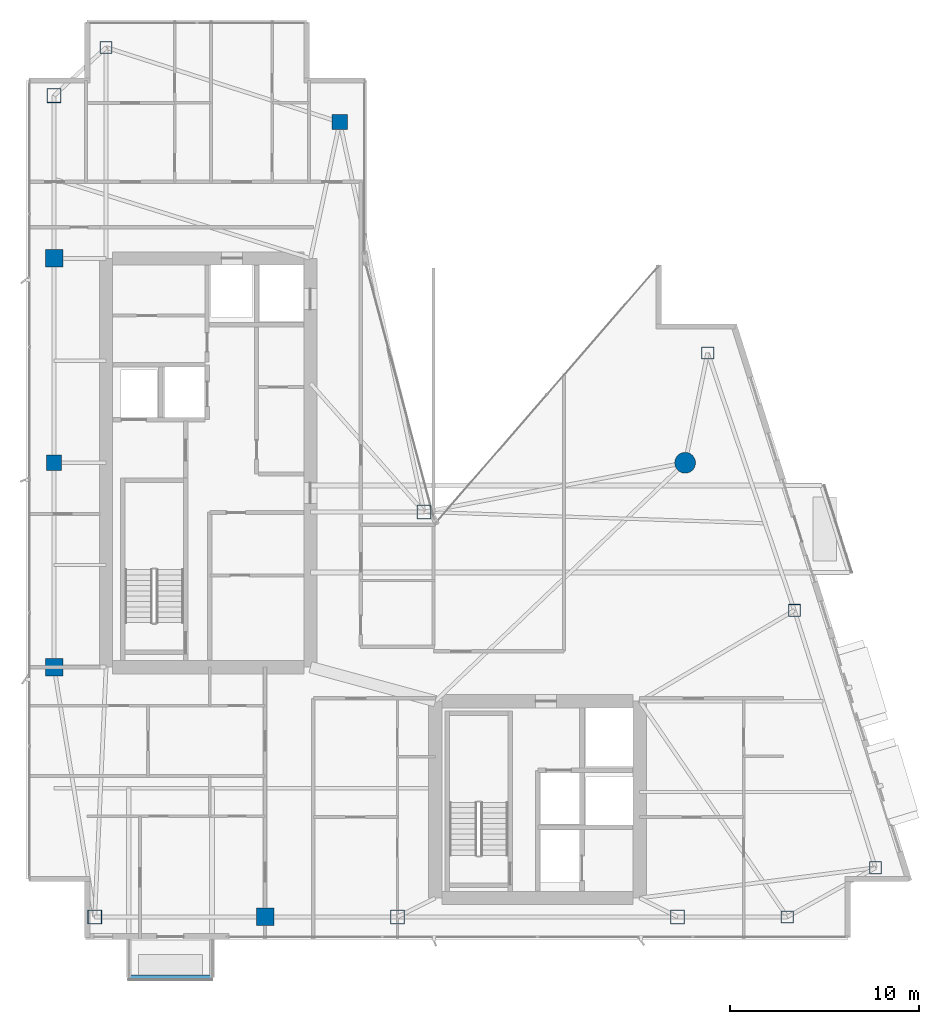
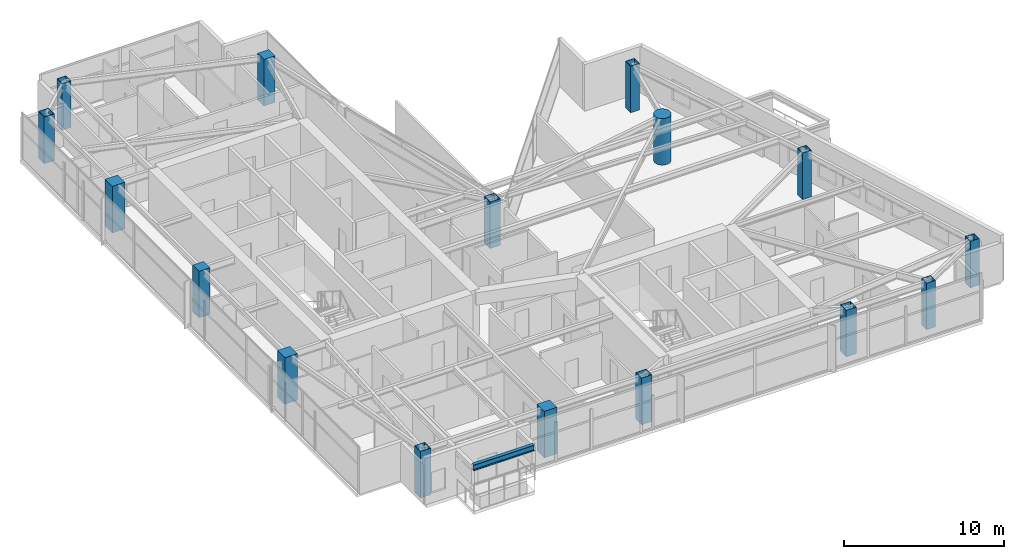
# One storey, part 1 of 29: 16 columns, 1 beam.
"""IFC4 building model written with IfcOpenShell, lengths in metres."""

from ifc_helpers import new_model, si_unit, direction, frame, origin, origin_2d, place, context, subcontext, project, spatial, rectangle, hollow_rectangle, circle, i_section, extrude, material, material_profile, profile_set, type_object, element, save


model = new_model("IFC4")

# Units and contexts
model_context = context("Model", 3, precision=1e-05, world=origin(), true_north=direction((0.0, 1.0)))
body_context = subcontext(model_context, "Body", "Model", "MODEL_VIEW")
ifc_project = project(units=[si_unit("LENGTHUNIT", "METRE"), si_unit("AREAUNIT", "SQUARE_METRE"), si_unit("VOLUMEUNIT", "CUBIC_METRE"), si_unit("PLANEANGLEUNIT", "RADIAN"), si_unit("MASSUNIT", "GRAM", prefix="KILO")], contexts=[model_context])

# Site, building, storey
site_placement = place(None, origin())
site = spatial("IfcSite", under=ifc_project, at=site_placement, CompositionType="ELEMENT")
building_placement = place(site_placement, origin())
building = spatial("IfcBuilding", under=site, at=building_placement, Name="Calvorn Quay Hotel", CompositionType="ELEMENT")
storey_placement = place(building_placement, frame((0.0, 0.0, 255.199951171875)))
storey = spatial("IfcBuildingStorey", under=building, at=storey_placement, Name="L63", CompositionType="ELEMENT", Elevation=255.199951171875)

# Columns
ifc_material_1 = material(Name="Concrete C45", Category="concrete")
ifc_material_profile_1 = material_profile(ifc_material_1, rectangle(XDim=0.800048828125, YDim=0.800048828125, at=origin_2d()), Name="RC800x800")
ifc_profile_set_1 = profile_set([ifc_material_profile_1], Name="Concrete C45")
column_type_1 = type_object("IfcColumnType", Name="COL-RC-800", PredefinedType="COLUMN", material=ifc_profile_set_1)
for number, where, z_axis, x_axis, name in (
    (1, (1.449951171875, 27.60009765625, 0.0), (0.0, 0.0, 1.0), (1.0, 0.0, 0.0), "Column C-W3 (L63)"),
    (2, (16.550048828125, 45.60009765625, 0.0), (0.0, 0.0, 1.0), (1.0, 0.0, 0.0), "Column C-IC1 (L63)"),
):
    element("IfcColumn", number, at=place(storey_placement, frame(where, z_axis=z_axis, x_axis=x_axis)), inside=storey, type_object=column_type_1, Name=name, PredefinedType="COLUMN", context=body_context, shape_type="SweptSolid", body=[
        extrude(rectangle(XDim=0.800048828125, YDim=0.800048828125, at=origin_2d()), origin(), (0.0, 0.0, 1.0), 3.56005859375),
    ])
ifc_material_2 = material(Name="Concrete C45", Category="concrete")
ifc_material_profile_2 = material_profile(ifc_material_2, rectangle(XDim=0.919921875, YDim=0.919921875, at=origin_2d()), Name="RC920x920")
ifc_profile_set_2 = profile_set([ifc_material_profile_2], Name="Concrete C45")
column_type_2 = type_object("IfcColumnType", Name="COL-RC-920", PredefinedType="COLUMN", material=ifc_profile_set_2)
for number, where, z_axis, x_axis, name in (
    (3, (1.449951171875, 16.800048828125, 0.0), (0.0, 0.0, 1.0), (1.0, 0.0, 0.0), "Column C-W2 (L63)"),
    (4, (1.449951171875, 38.39990234375, 0.0), (0.0, 0.0, 1.0), (1.0, 0.0, 0.0), "Column C-W4 (L63)"),
    (5, (12.60009765625, 3.60009765625, 0.0), (0.0, 0.0, 1.0), (1.0, 0.0, 0.0), "Column C-S1 (L63)"),
):
    element("IfcColumn", number, at=place(storey_placement, frame(where, z_axis=z_axis, x_axis=x_axis)), inside=storey, type_object=column_type_2, Name=name, PredefinedType="COLUMN", context=body_context, shape_type="SweptSolid", body=[
        extrude(rectangle(XDim=0.919921875, YDim=0.919921875, at=origin_2d()), origin(), (0.0, 0.0, 1.0), 3.56005859375),
    ])
ifc_material_3 = material(Name="Concrete C50", Category="concrete")
ifc_material_profile_3 = material_profile(ifc_material_3, circle(Radius=0.550048828125, at=origin_2d()), Name="RCD1100")
ifc_profile_set_3 = profile_set([ifc_material_profile_3], Name="Concrete C50")
column_type_3 = type_object("IfcColumnType", Name="COL-RC-D1100", PredefinedType="COLUMN", material=ifc_profile_set_3)
column_placement = place(storey_placement, frame((34.800048828125, 27.60009765625, 0.0), z_axis=(0.0, 0.0, 1.0), x_axis=(1.0, 0.0, 0.0)))
element("IfcColumn", 6, at=column_placement, inside=storey, type_object=column_type_3, Name="Column C-NC1 (L63)", PredefinedType="COLUMN", context=body_context, shape_type="SweptSolid", body=[
    extrude(circle(Radius=0.550048828125, at=origin_2d()), origin(), (0.0, 0.0, 1.0), 3.56005859375),
])
ifc_material_4 = material(Name="Steel Q390GJC", Category="steel")
ifc_material_profile_4 = material_profile(ifc_material_4, hollow_rectangle(XDim=0.75, YDim=0.75, WallThickness=0.031982421875, at=origin_2d()), Name="BOX750x750x32")
ifc_profile_set_4 = profile_set([ifc_material_profile_4], Name="Steel Q390GJC")
column_type_4 = type_object("IfcColumnType", Name="COL-STL-Z3", PredefinedType="COLUMN", material=ifc_profile_set_4)
for number, where, z_axis, x_axis, name in (
    (7, (3.60009765625, 3.60009765625, 0.0), (0.0, 0.0, 1.0), (1.0, 0.0, 0.0), "Column C-W1 (L63)"),
    (8, (1.449951171875, 47.0, 0.0), (0.0, 0.0, 1.0), (1.0, 0.0, 0.0), "Column C-W5 (L63)"),
    (9, (21.0, 25.0, 0.0), (0.0, 0.0, 1.0), (1.0, 0.0, 0.0), "Column C-IC2 (L63)"),
    (10, (19.60009765625, 3.60009765625, 0.0), (0.0, 0.0, 1.0), (1.0, 0.0, 0.0), "Column C-S2 (L63)"),
    (11, (34.39990234375, 3.60009765625, 0.0), (0.0, 0.0, 1.0), (1.0, 0.0, 0.0), "Column C-S3 (L63)"),
):
    element("IfcColumn", number, at=place(storey_placement, frame(where, z_axis=z_axis, x_axis=x_axis)), inside=storey, type_object=column_type_4, Name=name, PredefinedType="COLUMN", context=body_context, shape_type="SweptSolid", body=[
        extrude(hollow_rectangle(XDim=0.75, YDim=0.75, WallThickness=0.031982421875, at=origin_2d()), origin(), (0.0, 0.0, 1.0), 3.56005859375),
    ])
ifc_material_5 = material(Name="Steel Q355B", Category="steel")
ifc_material_profile_5 = material_profile(ifc_material_5, hollow_rectangle(XDim=0.64990234375, YDim=0.64990234375, WallThickness=0.028076171875, at=origin_2d()), Name="BOX650x650x28")
ifc_profile_set_5 = profile_set([ifc_material_profile_5], Name="Steel Q355B")
column_type_5 = type_object("IfcColumnType", Name="COL-STL-Z4", PredefinedType="COLUMN", material=ifc_profile_set_5)
for number, where, z_axis, x_axis, name in (
    (12, (4.199951171875, 49.550048828125, 0.0), (0.0, 0.0, 1.0), (1.0, 0.0, 0.0), "Column C-NW1 (L63)"),
    (13, (40.199951171875, 3.60009765625, 0.0), (0.0, 0.0, 1.0), (1.0, 0.0, 0.0), "Column C-S4 (L63)"),
    (14, (44.861083984375, 6.199951171875, 0.0), (0.0, 0.0, 1.0), (1.0, 0.0, 0.0), "Column C-ET1 (L63)"),
    (15, (40.575927734375, 19.800048828125, 0.0), (0.0, 0.0, 1.0), (1.0, 0.0, 0.0), "Column C-ET2 (L63)"),
    (16, (35.990966796875, 33.39990234375, 0.0), (0.0, 0.0, 1.0), (1.0, 0.0, 0.0), "Column C-ET3 (L63)"),
):
    element("IfcColumn", number, at=place(storey_placement, frame(where, z_axis=z_axis, x_axis=x_axis)), inside=storey, type_object=column_type_5, Name=name, PredefinedType="COLUMN", context=body_context, shape_type="SweptSolid", body=[
        extrude(hollow_rectangle(XDim=0.64990234375, YDim=0.64990234375, WallThickness=0.028076171875, at=origin_2d()), origin(), (0.0, 0.0, 1.0), 3.56005859375),
    ])

# Beam
ifc_material_6 = material(Name="Steel Q355B", Category="steel")
ifc_material_profile_6 = material_profile(ifc_material_6, i_section(OverallWidth=0.25, OverallDepth=0.449951171875, WebThickness=0.011962890625, FlangeThickness=0.01611328125, FilletRadius=0.01611328125, at=origin_2d()), Name="HN450x250x12x16")
ifc_profile_set_6 = profile_set([ifc_material_profile_6], Name="Steel Q355B")
beam_type = type_object("IfcBeamType", Name="BM-CANT-BALC", PredefinedType="BEAM", material=ifc_profile_set_6)
beam_placement = place(storey_placement, frame((5.39990234375, 0.409912109375, 3.31494140625), z_axis=(1.0, 0.0, 0.0), x_axis=(0.0, 1.0, 0.0)))
element("IfcBeam", 17, at=beam_placement, inside=storey, type_object=beam_type, Name="Beam BCBO-L64-2", PredefinedType="BEAM", context=body_context, shape_type="SweptSolid", body=[
    extrude(i_section(OverallWidth=0.25, OverallDepth=0.449951171875, WebThickness=0.011962890625, FlangeThickness=0.01611328125, FilletRadius=0.01611328125, at=origin_2d()), origin(), (0.0, 0.0, 1.0), 4.400146484375),
])

save(model, "model.ifc")
